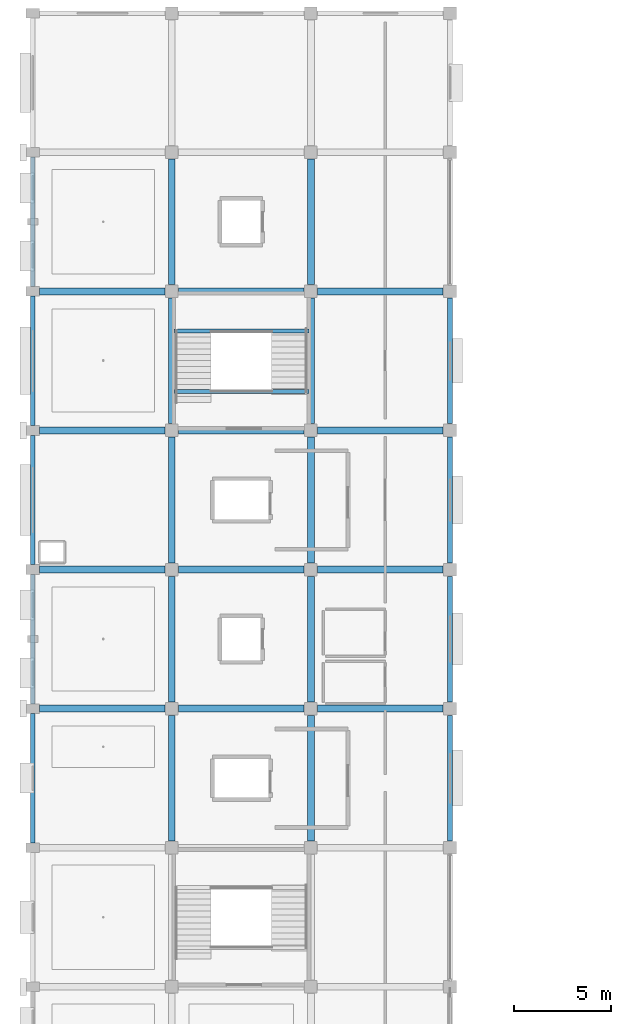
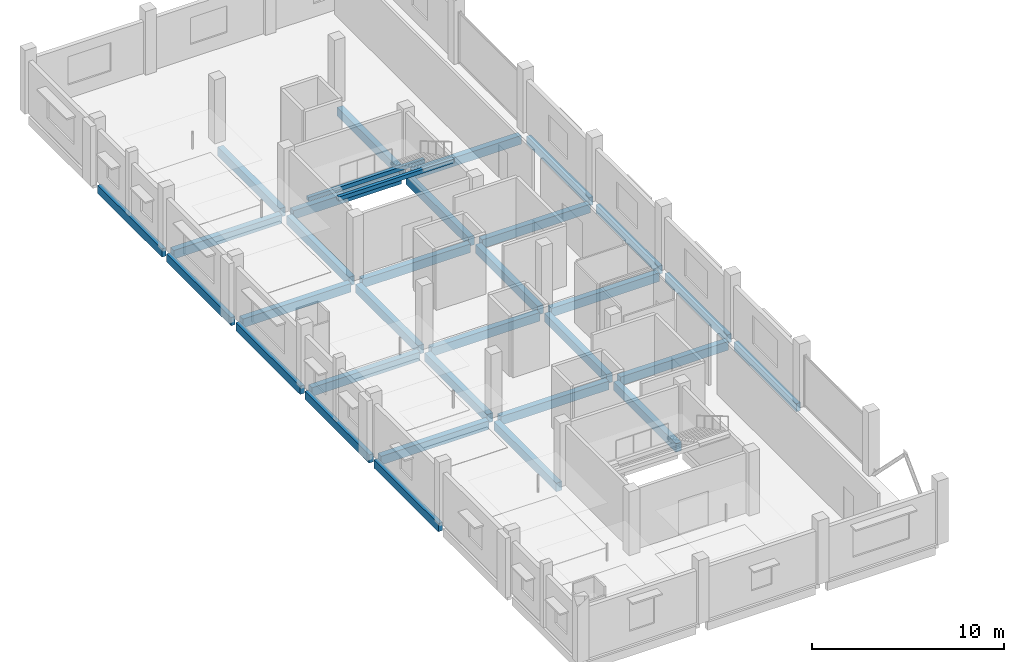
# One storey, part 5 of 59: 33 beams.
"""IFC4 building model written with IfcOpenShell, lengths in metres."""

import ifcopenshell
import ifcopenshell.guid

model = None  # the IFC model being written
_history = None  # IfcOwnerHistory: only IFC2X3 demands one
_inside = {}  # id of a spatial element -> (the spatial element, [elements in it])
_under = {}  # id of a project, library or spatial element -> (it, [spatial elements below it])
_declared = {}  # id of a project -> (the project, [libraries it declares])
_typed = {}  # id of a type object -> (the type object, [elements of that type])
_made_of = {}  # id of a material, layer set ... -> (it, [elements and type objects made of it])


def new_model(schema):
    """Start an empty IFC model of exactly this schema.

    Asked for "IFC4X3", IfcOpenShell would pick the latest addendum, in which some entities
    have other attributes; the version numbers below select the first issue.
    IFC2X3 requires an IfcOwnerHistory on every rooted entity: one is made here for all.
    """
    global model, _history
    if schema == "IFC4X3":
        model = ifcopenshell.file(schema_version=(4, 3, 0, 0))
    else:
        model = ifcopenshell.file(schema=schema)
    _inside.clear()
    _under.clear()
    _declared.clear()
    _typed.clear()
    _made_of.clear()
    _history = None
    if model.schema == "IFC2X3":
        org = make("IfcOrganization", Name="unknown")
        user = make(
            "IfcPersonAndOrganization",
            ThePerson=make("IfcPerson", FamilyName="unknown"),
            TheOrganization=org,
        )
        app = make(
            "IfcApplication",
            ApplicationDeveloper=org,
            Version="unknown",
            ApplicationFullName="unknown",
            ApplicationIdentifier="unknown",
        )
        _history = make(
            "IfcOwnerHistory",
            OwningUser=user,
            OwningApplication=app,
            ChangeAction="ADDED",
            CreationDate=0,
        )
    return model


def make(cls, **values):
    """One entity of the class cls with the attributes given. An attribute that is None is left unset."""
    return model.create_entity(
        cls, **{name: value for name, value in values.items() if value is not None}
    )


def rooted(cls, **values):
    """An entity with a GlobalId (a new one), such as an element, a storey or a relation."""
    return make(cls, GlobalId=ifcopenshell.guid.new(), OwnerHistory=_history, **values)


def si_unit(unit_type, name, prefix=None):
    """IfcSIUnit, for example si_unit("LENGTHUNIT", "METRE", prefix="MILLI")."""
    return make("IfcSIUnit", UnitType=unit_type, Prefix=prefix, Name=name)


def assignment(units):
    """IfcUnitAssignment: the units of a project."""
    return None if units is None else make("IfcUnitAssignment", Units=units)


def point(xyz):
    """IfcCartesianPoint."""
    return None if xyz is None else make("IfcCartesianPoint", Coordinates=xyz)


def direction(xyz):
    """IfcDirection."""
    return None if xyz is None else make("IfcDirection", DirectionRatios=xyz)


def frame(location, z_axis=None, x_axis=None):
    """IfcAxis2Placement3D, a coordinate frame: its origin and axes. An axis left out is left unset."""
    return make(
        "IfcAxis2Placement3D",
        Location=point(location),
        Axis=direction(z_axis),
        RefDirection=direction(x_axis),
    )


def frame_2d(location, x_axis=None):
    """IfcAxis2Placement2D, a coordinate frame in the plane: its origin and x axis."""
    return make(
        "IfcAxis2Placement2D", Location=point(location), RefDirection=direction(x_axis)
    )


def origin():
    """The frame at (0, 0, 0) with its axes left unset."""
    return frame((0.0, 0.0, 0.0))


def origin_2d():
    """The frame at (0, 0) in the plane with its x axis left unset."""
    return frame_2d((0.0, 0.0))


def place(relative_to, where):
    """IfcLocalPlacement: puts the frame where relative to a parent placement (None: the world)."""
    return make(
        "IfcLocalPlacement", PlacementRelTo=relative_to, RelativePlacement=where
    )


def context(
    kind, dimensions, precision=None, world=None, true_north=None, identifier=None
):
    """IfcGeometricRepresentationContext, for example the 3D "Model" context."""
    return make(
        "IfcGeometricRepresentationContext",
        ContextIdentifier=identifier,
        ContextType=kind,
        CoordinateSpaceDimension=dimensions,
        Precision=precision,
        WorldCoordinateSystem=world,
        TrueNorth=true_north,
    )


def subcontext(parent, identifier, kind, view, scale=None):
    """IfcGeometricRepresentationSubContext, for example "Body" below "Model"."""
    return make(
        "IfcGeometricRepresentationSubContext",
        ContextIdentifier=identifier,
        ContextType=kind,
        ParentContext=parent,
        TargetScale=scale,
        TargetView=view,
    )


def project(units=None, contexts=None):
    """IfcProject with its units and contexts."""
    return rooted(
        "IfcProject",
        Name="project",
        RepresentationContexts=contexts,
        UnitsInContext=assignment(units),
    )


def spatial(cls, under=None, at=None, **own):
    """A site, building, storey or space (cls), placed at a placement, below another one or the project."""
    s = rooted(cls, ObjectPlacement=at, **own)
    if under is not None:
        _under.setdefault(under.id(), (under, []))[1].append(s)
    return s


def profile(cls, at=None, kind="AREA", **sizes):
    """A parametric profile (cls). Its sizes go by their IFC names, for example OverallWidth=200.0."""
    return make(cls, ProfileType=kind, Position=at, **sizes)


def rectangle(**sizes):
    """IfcRectangleProfileDef."""
    return profile("IfcRectangleProfileDef", **sizes)


def extrude(swept, where, along, depth):
    """IfcExtrudedAreaSolid: the profile swept, set in the frame where, extruded along a direction by depth."""
    return make(
        "IfcExtrudedAreaSolid",
        SweptArea=swept,
        Position=where,
        ExtrudedDirection=direction(along),
        Depth=depth,
    )


def shape(context_of_items, identifier, shape_type, items):
    """IfcShapeRepresentation: the items that make up one representation, for example the "Body"."""
    return make(
        "IfcShapeRepresentation",
        ContextOfItems=context_of_items,
        RepresentationIdentifier=identifier,
        RepresentationType=shape_type,
        Items=items,
    )


def material(Name=None, Category=None):
    """IfcMaterial."""
    return make("IfcMaterial", Name=Name, Category=Category)


def material_profile(
    of_material, cross_section, Name=None, Category=None, Priority=None
):
    """IfcMaterialProfile: a cross section and its material."""
    return make(
        "IfcMaterialProfile",
        Name=Name,
        Material=of_material,
        Profile=cross_section,
        Priority=Priority,
        Category=Category,
    )


def profile_set(profiles, Name=None, composite=None):
    """IfcMaterialProfileSet."""
    return make(
        "IfcMaterialProfileSet",
        Name=Name,
        MaterialProfiles=profiles,
        CompositeProfile=composite,
    )


def made_of(thing, what):
    """Note that an element or type object is made of a material, layer set ...; save() writes the relation."""
    if what is not None:
        _made_of.setdefault(what.id(), (what, []))[1].append(thing)
    return thing


def type_object(cls, material=None, **own):
    """A type object (cls), such as IfcWallType, which elements share."""
    return made_of(rooted(cls, **own), material)


def element(
    cls,
    number,
    at=None,
    inside=None,
    cuts=None,
    type_object=None,
    material=None,
    context=None,
    identifier="Body",
    shape_type=None,
    held_by="IfcProductDefinitionShape",
    body=None,
    shapes=None,
    **own,
):
    """One element of the class cls, such as IfcWall. Its Tag is "e" and its number.

    at: its placement. inside: the storey or other place that contains it. cuts: it is an
    opening in that element (IfcRelVoidsElement). A single representation is given by context,
    identifier, shape_type and body (its items); several are given by shapes. held_by: the class
    of the entity that holds the representations. save() writes the other relations.
    """
    e = rooted(cls, Tag="e%d" % number, ObjectPlacement=at, **own)
    if body is not None:
        shapes = [shape(context, identifier, shape_type, body)]
    if shapes is not None:
        e.Representation = make(held_by, Representations=shapes)
    if inside is not None:
        _inside.setdefault(inside.id(), (inside, []))[1].append(e)
    if cuts is not None:
        rooted(
            "IfcRelVoidsElement", RelatingBuildingElement=cuts, RelatedOpeningElement=e
        )
    if type_object is not None:
        _typed.setdefault(type_object.id(), (type_object, []))[1].append(e)
    return made_of(e, material)


def aggregate(whole, parts):
    """IfcRelAggregates: a whole, such as a stair, and the parts it consists of."""
    return rooted("IfcRelAggregates", RelatingObject=whole, RelatedObjects=parts)


def save(model, path):
    """Write the relations noted so far, then the file.

    IfcRelAggregates (storeys below a building ...), IfcRelContainedInSpatialStructure (elements
    in a storey), IfcRelDefinesByType, IfcRelAssociatesMaterial and IfcRelDeclares: one each for
    every whole, place, type object, material and project.
    """
    for whole, parts in _under.values():
        aggregate(whole, parts)
    for where, things in _inside.values():
        rooted(
            "IfcRelContainedInSpatialStructure",
            RelatedElements=things,
            RelatingStructure=where,
        )
    for kind, things in _typed.values():
        rooted("IfcRelDefinesByType", RelatedObjects=things, RelatingType=kind)
    for what, things in _made_of.values():
        rooted("IfcRelAssociatesMaterial", RelatedObjects=things, RelatingMaterial=what)
    for by, libraries in _declared.values():
        rooted("IfcRelDeclares", RelatingContext=by, RelatedDefinitions=libraries)
    model.write(path)


model = new_model("IFC4")

# Units and contexts
model_context = context("Model", 3, precision=1e-05, world=origin(), true_north=direction((0.0, 1.0)))
body_context = subcontext(model_context, "Body", "Model", "MODEL_VIEW")
ifc_project = project(units=[si_unit("LENGTHUNIT", "METRE"), si_unit("AREAUNIT", "SQUARE_METRE"), si_unit("VOLUMEUNIT", "CUBIC_METRE"), si_unit("PLANEANGLEUNIT", "RADIAN"), si_unit("MASSUNIT", "GRAM", prefix="KILO")], contexts=[model_context])

# Site, building, storey
site_placement = place(None, origin())
site = spatial("IfcSite", under=ifc_project, at=site_placement, CompositionType="ELEMENT")
building_placement = place(site_placement, origin())
building = spatial("IfcBuilding", under=site, at=building_placement, Name="Kangsadwip Square Police Headquarters", CompositionType="ELEMENT")
storey_placement = place(building_placement, frame((0.0, 0.0, 21.60009765625)))
storey = spatial("IfcBuildingStorey", under=building, at=storey_placement, Name="L05", CompositionType="ELEMENT", Elevation=21.60009765625)

# Beams
ifc_material_1 = material(Name="Concrete M35 (35 MPa)", Category="concrete")
ifc_material_profile_1 = material_profile(ifc_material_1, rectangle(XDim=0.35009765625, YDim=0.550048828125, at=origin_2d()), Name="RC BM 550X350")
ifc_profile_set_1 = profile_set([ifc_material_profile_1], Name="Concrete M35 (35 MPa)")
beam_type_1 = type_object("IfcBeamType", Name="RcBeam550x350", PredefinedType="BEAM", material=ifc_profile_set_1)
for number, where, z_axis, x_axis, name in (
    (1, (0.35009765625, 57.60009765625, -0.4951171875), (1.0, 0.0, 0.0), (0.0, 1.0, 0.0), "Beam BM-L05-X-00-08"),
    (2, (7.550048828125, 57.60009765625, -0.4951171875), (1.0, 0.0, 0.0), (0.0, 1.0, 0.0), "Beam BM-L05-X-01-08"),
    (3, (14.75, 57.60009765625, -0.4951171875), (1.0, 0.0, 0.0), (0.0, 1.0, 0.0), "Beam BM-L05-X-02-08"),
    (4, (0.35009765625, 64.800048828125, -0.4951171875), (1.0, 0.0, 0.0), (0.0, 1.0, 0.0), "Beam BM-L05-X-00-09"),
    (5, (7.550048828125, 64.800048828125, -0.4951171875), (1.0, 0.0, 0.0), (0.0, 1.0, 0.0), "Beam BM-L05-X-01-09"),
    (6, (14.75, 64.800048828125, -0.4951171875), (1.0, 0.0, 0.0), (0.0, 1.0, 0.0), "Beam BM-L05-X-02-09"),
    (7, (0.35009765625, 72.0, -0.4951171875), (1.0, 0.0, 0.0), (0.0, 1.0, 0.0), "Beam BM-L05-X-00-10"),
    (8, (7.550048828125, 72.0, -0.4951171875), (1.0, 0.0, 0.0), (0.0, 1.0, 0.0), "Beam BM-L05-X-01-10"),
    (9, (14.75, 72.0, -0.4951171875), (1.0, 0.0, 0.0), (0.0, 1.0, 0.0), "Beam BM-L05-X-02-10"),
    (10, (0.35009765625, 79.199951171875, -0.4951171875), (1.0, 0.0, 0.0), (0.0, 1.0, 0.0), "Beam BM-L05-X-00-11"),
    (11, (7.550048828125, 79.199951171875, -0.4951171875), (1.0, 0.0, 0.0), (0.0, 1.0, 0.0), "Beam BM-L05-X-01-11"),
    (12, (14.75, 79.199951171875, -0.4951171875), (1.0, 0.0, 0.0), (0.0, 1.0, 0.0), "Beam BM-L05-X-02-11"),
    (13, (7.199951171875, 50.75, -0.4951171875), (0.0, 1.0, 0.0), (-1.0, 0.0, 0.0), "Beam BM-L05-Y-01-07"),
    (14, (7.199951171875, 57.949951171875, -0.4951171875), (0.0, 1.0, 0.0), (-1.0, 0.0, 0.0), "Beam BM-L05-Y-01-08"),
    (15, (7.199951171875, 65.14990234375, -0.4951171875), (0.0, 1.0, 0.0), (-1.0, 0.0, 0.0), "Beam BM-L05-Y-01-09"),
    (16, (7.199951171875, 72.35009765625, -0.4951171875), (0.0, 1.0, 0.0), (-1.0, 0.0, 0.0), "Beam BM-L05-Y-01-10"),
    (17, (7.199951171875, 79.550048828125, -0.4951171875), (0.0, 1.0, 0.0), (-1.0, 0.0, 0.0), "Beam BM-L05-Y-01-11"),
    (18, (14.39990234375, 50.75, -0.4951171875), (0.0, 1.0, 0.0), (-1.0, 0.0, 0.0), "Beam BM-L05-Y-02-07"),
    (19, (14.39990234375, 57.949951171875, -0.4951171875), (0.0, 1.0, 0.0), (-1.0, 0.0, 0.0), "Beam BM-L05-Y-02-08"),
    (20, (14.39990234375, 65.14990234375, -0.4951171875), (0.0, 1.0, 0.0), (-1.0, 0.0, 0.0), "Beam BM-L05-Y-02-09"),
    (21, (14.39990234375, 72.35009765625, -0.4951171875), (0.0, 1.0, 0.0), (-1.0, 0.0, 0.0), "Beam BM-L05-Y-02-10"),
    (22, (14.39990234375, 79.550048828125, -0.4951171875), (0.0, 1.0, 0.0), (-1.0, 0.0, 0.0), "Beam BM-L05-Y-02-11"),
):
    element("IfcBeam", number, at=place(storey_placement, frame(where, z_axis=z_axis, x_axis=x_axis)), inside=storey, type_object=beam_type_1, Name=name, PredefinedType="BEAM", context=body_context, shape_type="SweptSolid", body=[
        extrude(rectangle(XDim=0.35009765625, YDim=0.550048828125, at=origin_2d()), origin(), (0.0, 0.0, 1.0), 6.5),
    ])
ifc_material_2 = material(Name="Concrete M30 (30 MPa)", Category="concrete")
ifc_material_profile_2 = material_profile(ifc_material_2, rectangle(XDim=0.199951171875, YDim=0.25, at=origin_2d()), Name="RC LNT 250X200")
ifc_profile_set_2 = profile_set([ifc_material_profile_2], Name="Concrete M30 (30 MPa)")
beam_type_2 = type_object("IfcBeamType", Name="RcLintel250x200", PredefinedType="LINTEL", material=ifc_profile_set_2)
for number, where, z_axis, x_axis, name in (
    (23, (7.300048828125, 77.139892578125, 1.80078125), (1.0, 0.0, 0.0), (0.0, 1.0, 0.0), "Stair Carriage and Landing Beam BM-ST-L05-033"),
    (24, (7.300048828125, 74.02001953125, 3.704833984375), (1.0, 0.0, 0.0), (0.0, 1.0, 0.0), "Stair Carriage and Landing Beam BM-ST-L05-034"),
):
    element("IfcBeam", number, at=place(storey_placement, frame(where, z_axis=z_axis, x_axis=x_axis)), inside=storey, type_object=beam_type_2, Name=name, PredefinedType="BEAM", context=body_context, shape_type="SweptSolid", body=[
        extrude(rectangle(XDim=0.199951171875, YDim=0.25, at=origin_2d()), origin(), (0.0, 0.0, 1.0), 7.0),
    ])
ifc_material_3 = material(Name="Concrete M35 (35 MPa)", Category="concrete")
ifc_material_profile_3 = material_profile(ifc_material_3, rectangle(XDim=0.25, YDim=0.52001953125, at=origin_2d()), Name="RC SPN 520X250")
ifc_profile_set_3 = profile_set([ifc_material_profile_3], Name="Concrete M35 (35 MPa)")
beam_type_3 = type_object("IfcBeamType", Name="RcSpandrel520x250", PredefinedType="SPANDREL", material=ifc_profile_set_3)
beam_placement = place(storey_placement, frame((0.0, 50.64990234375, -0.47998046875), z_axis=(0.0, 1.0, 0.0), x_axis=(-1.0, 0.0, 0.0)))
element("IfcBeam", 25, at=beam_placement, inside=storey, type_object=beam_type_3, Name="Beam BM-L05-Y-00-07", PredefinedType="SPANDREL", context=body_context, shape_type="SweptSolid", body=[
    extrude(rectangle(XDim=0.25, YDim=0.52001953125, at=origin_2d()), origin(), (0.0, 0.0, 1.0), 6.7001953125),
])
for number, where, z_axis, x_axis, name in (
    (26, (0.0, 57.85009765625, -0.47998046875), (0.0, 1.0, 0.0), (-1.0, 0.0, 0.0), "Beam BM-L05-Y-00-08"),
    (27, (0.0, 65.050048828125, -0.47998046875), (0.0, 1.0, 0.0), (-1.0, 0.0, 0.0), "Beam BM-L05-Y-00-09"),
    (28, (0.0, 72.25, -0.47998046875), (0.0, 1.0, 0.0), (-1.0, 0.0, 0.0), "Beam BM-L05-Y-00-10"),
    (29, (0.0, 79.449951171875, -0.47998046875), (0.0, 1.0, 0.0), (-1.0, 0.0, 0.0), "Beam BM-L05-Y-00-11"),
):
    element("IfcBeam", number, at=place(storey_placement, frame(where, z_axis=z_axis, x_axis=x_axis)), inside=storey, type_object=beam_type_3, Name=name, PredefinedType="SPANDREL", context=body_context, shape_type="SweptSolid", body=[
        extrude(rectangle(XDim=0.25, YDim=0.52001953125, at=origin_2d()), origin(), (0.0, 0.0, 1.0), 6.699951171875),
    ])
for number, where, z_axis, x_axis, name in (
    (30, (21.60009765625, 50.75, -0.47998046875), (0.0, 1.0, 0.0), (-1.0, 0.0, 0.0), "Beam BM-L05-Y-03-07"),
    (31, (21.60009765625, 57.949951171875, -0.47998046875), (0.0, 1.0, 0.0), (-1.0, 0.0, 0.0), "Beam BM-L05-Y-03-08"),
    (32, (21.60009765625, 65.14990234375, -0.47998046875), (0.0, 1.0, 0.0), (-1.0, 0.0, 0.0), "Beam BM-L05-Y-03-09"),
    (33, (21.60009765625, 72.35009765625, -0.47998046875), (0.0, 1.0, 0.0), (-1.0, 0.0, 0.0), "Beam BM-L05-Y-03-10"),
):
    element("IfcBeam", number, at=place(storey_placement, frame(where, z_axis=z_axis, x_axis=x_axis)), inside=storey, type_object=beam_type_3, Name=name, PredefinedType="SPANDREL", context=body_context, shape_type="SweptSolid", body=[
        extrude(rectangle(XDim=0.25, YDim=0.52001953125, at=origin_2d()), origin(), (0.0, 0.0, 1.0), 6.5),
    ])

save(model, "model.ifc")
